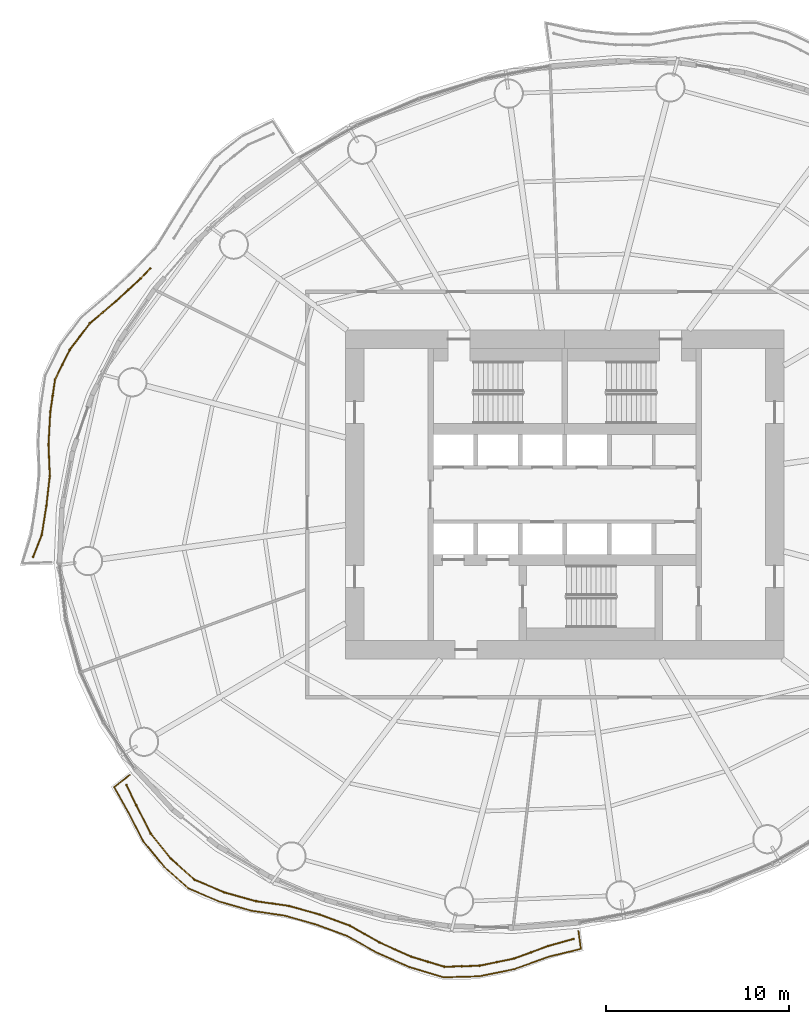
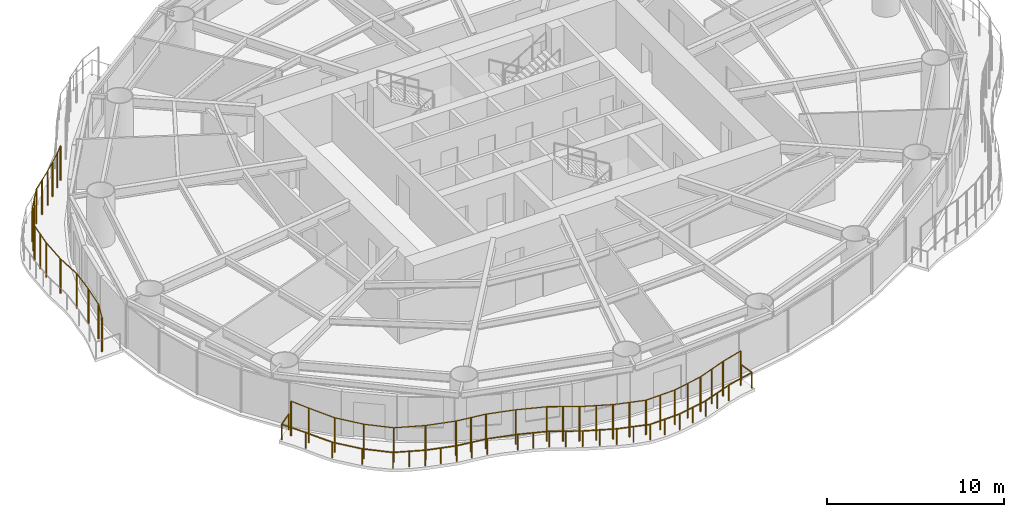
# One storey, part 12 of 16: 3 railings.
"""IFC4 building model written with IfcOpenShell, lengths in metres."""

import ifcopenshell
import ifcopenshell.guid

model = None  # the IFC model being written
_history = None  # IfcOwnerHistory: only IFC2X3 demands one
_inside = {}  # id of a spatial element -> (the spatial element, [elements in it])
_under = {}  # id of a project, library or spatial element -> (it, [spatial elements below it])
_declared = {}  # id of a project -> (the project, [libraries it declares])
_typed = {}  # id of a type object -> (the type object, [elements of that type])
_made_of = {}  # id of a material, layer set ... -> (it, [elements and type objects made of it])


def new_model(schema):
    """Start an empty IFC model of exactly this schema.

    Asked for "IFC4X3", IfcOpenShell would pick the latest addendum, in which some entities
    have other attributes; the version numbers below select the first issue.
    IFC2X3 requires an IfcOwnerHistory on every rooted entity: one is made here for all.
    """
    global model, _history
    if schema == "IFC4X3":
        model = ifcopenshell.file(schema_version=(4, 3, 0, 0))
    else:
        model = ifcopenshell.file(schema=schema)
    _inside.clear()
    _under.clear()
    _declared.clear()
    _typed.clear()
    _made_of.clear()
    _history = None
    if model.schema == "IFC2X3":
        org = make("IfcOrganization", Name="unknown")
        user = make(
            "IfcPersonAndOrganization",
            ThePerson=make("IfcPerson", FamilyName="unknown"),
            TheOrganization=org,
        )
        app = make(
            "IfcApplication",
            ApplicationDeveloper=org,
            Version="unknown",
            ApplicationFullName="unknown",
            ApplicationIdentifier="unknown",
        )
        _history = make(
            "IfcOwnerHistory",
            OwningUser=user,
            OwningApplication=app,
            ChangeAction="ADDED",
            CreationDate=0,
        )
    return model


def make(cls, **values):
    """One entity of the class cls with the attributes given. An attribute that is None is left unset."""
    return model.create_entity(
        cls, **{name: value for name, value in values.items() if value is not None}
    )


def rooted(cls, **values):
    """An entity with a GlobalId (a new one), such as an element, a storey or a relation."""
    return make(cls, GlobalId=ifcopenshell.guid.new(), OwnerHistory=_history, **values)


def si_unit(unit_type, name, prefix=None):
    """IfcSIUnit, for example si_unit("LENGTHUNIT", "METRE", prefix="MILLI")."""
    return make("IfcSIUnit", UnitType=unit_type, Prefix=prefix, Name=name)


def assignment(units):
    """IfcUnitAssignment: the units of a project."""
    return None if units is None else make("IfcUnitAssignment", Units=units)


def point(xyz):
    """IfcCartesianPoint."""
    return None if xyz is None else make("IfcCartesianPoint", Coordinates=xyz)


def direction(xyz):
    """IfcDirection."""
    return None if xyz is None else make("IfcDirection", DirectionRatios=xyz)


def frame(location, z_axis=None, x_axis=None):
    """IfcAxis2Placement3D, a coordinate frame: its origin and axes. An axis left out is left unset."""
    return make(
        "IfcAxis2Placement3D",
        Location=point(location),
        Axis=direction(z_axis),
        RefDirection=direction(x_axis),
    )


def frame_2d(location, x_axis=None):
    """IfcAxis2Placement2D, a coordinate frame in the plane: its origin and x axis."""
    return make(
        "IfcAxis2Placement2D", Location=point(location), RefDirection=direction(x_axis)
    )


def origin():
    """The frame at (0, 0, 0) with its axes left unset."""
    return frame((0.0, 0.0, 0.0))


def origin_2d():
    """The frame at (0, 0) in the plane with its x axis left unset."""
    return frame_2d((0.0, 0.0))


def place(relative_to, where):
    """IfcLocalPlacement: puts the frame where relative to a parent placement (None: the world)."""
    return make(
        "IfcLocalPlacement", PlacementRelTo=relative_to, RelativePlacement=where
    )


def context(
    kind, dimensions, precision=None, world=None, true_north=None, identifier=None
):
    """IfcGeometricRepresentationContext, for example the 3D "Model" context."""
    return make(
        "IfcGeometricRepresentationContext",
        ContextIdentifier=identifier,
        ContextType=kind,
        CoordinateSpaceDimension=dimensions,
        Precision=precision,
        WorldCoordinateSystem=world,
        TrueNorth=true_north,
    )


def subcontext(parent, identifier, kind, view, scale=None):
    """IfcGeometricRepresentationSubContext, for example "Body" below "Model"."""
    return make(
        "IfcGeometricRepresentationSubContext",
        ContextIdentifier=identifier,
        ContextType=kind,
        ParentContext=parent,
        TargetScale=scale,
        TargetView=view,
    )


def project(units=None, contexts=None):
    """IfcProject with its units and contexts."""
    return rooted(
        "IfcProject",
        Name="project",
        RepresentationContexts=contexts,
        UnitsInContext=assignment(units),
    )


def spatial(cls, under=None, at=None, **own):
    """A site, building, storey or space (cls), placed at a placement, below another one or the project."""
    s = rooted(cls, ObjectPlacement=at, **own)
    if under is not None:
        _under.setdefault(under.id(), (under, []))[1].append(s)
    return s


def profile(cls, at=None, kind="AREA", **sizes):
    """A parametric profile (cls). Its sizes go by their IFC names, for example OverallWidth=200.0."""
    return make(cls, ProfileType=kind, Position=at, **sizes)


def circle(**sizes):
    """IfcCircleProfileDef."""
    return profile("IfcCircleProfileDef", **sizes)


def extrude(swept, where, along, depth):
    """IfcExtrudedAreaSolid: the profile swept, set in the frame where, extruded along a direction by depth."""
    return make(
        "IfcExtrudedAreaSolid",
        SweptArea=swept,
        Position=where,
        ExtrudedDirection=direction(along),
        Depth=depth,
    )


def shape(context_of_items, identifier, shape_type, items):
    """IfcShapeRepresentation: the items that make up one representation, for example the "Body"."""
    return make(
        "IfcShapeRepresentation",
        ContextOfItems=context_of_items,
        RepresentationIdentifier=identifier,
        RepresentationType=shape_type,
        Items=items,
    )


def material(Name=None, Category=None):
    """IfcMaterial."""
    return make("IfcMaterial", Name=Name, Category=Category)


def made_of(thing, what):
    """Note that an element or type object is made of a material, layer set ...; save() writes the relation."""
    if what is not None:
        _made_of.setdefault(what.id(), (what, []))[1].append(thing)
    return thing


def type_object(cls, material=None, **own):
    """A type object (cls), such as IfcWallType, which elements share."""
    return made_of(rooted(cls, **own), material)


def element(
    cls,
    number,
    at=None,
    inside=None,
    cuts=None,
    type_object=None,
    material=None,
    context=None,
    identifier="Body",
    shape_type=None,
    held_by="IfcProductDefinitionShape",
    body=None,
    shapes=None,
    **own,
):
    """One element of the class cls, such as IfcWall. Its Tag is "e" and its number.

    at: its placement. inside: the storey or other place that contains it. cuts: it is an
    opening in that element (IfcRelVoidsElement). A single representation is given by context,
    identifier, shape_type and body (its items); several are given by shapes. held_by: the class
    of the entity that holds the representations. save() writes the other relations.
    """
    e = rooted(cls, Tag="e%d" % number, ObjectPlacement=at, **own)
    if body is not None:
        shapes = [shape(context, identifier, shape_type, body)]
    if shapes is not None:
        e.Representation = make(held_by, Representations=shapes)
    if inside is not None:
        _inside.setdefault(inside.id(), (inside, []))[1].append(e)
    if cuts is not None:
        rooted(
            "IfcRelVoidsElement", RelatingBuildingElement=cuts, RelatedOpeningElement=e
        )
    if type_object is not None:
        _typed.setdefault(type_object.id(), (type_object, []))[1].append(e)
    return made_of(e, material)


def aggregate(whole, parts):
    """IfcRelAggregates: a whole, such as a stair, and the parts it consists of."""
    return rooted("IfcRelAggregates", RelatingObject=whole, RelatedObjects=parts)


def save(model, path):
    """Write the relations noted so far, then the file.

    IfcRelAggregates (storeys below a building ...), IfcRelContainedInSpatialStructure (elements
    in a storey), IfcRelDefinesByType, IfcRelAssociatesMaterial and IfcRelDeclares: one each for
    every whole, place, type object, material and project.
    """
    for whole, parts in _under.values():
        aggregate(whole, parts)
    for where, things in _inside.values():
        rooted(
            "IfcRelContainedInSpatialStructure",
            RelatedElements=things,
            RelatingStructure=where,
        )
    for kind, things in _typed.values():
        rooted("IfcRelDefinesByType", RelatedObjects=things, RelatingType=kind)
    for what, things in _made_of.values():
        rooted("IfcRelAssociatesMaterial", RelatedObjects=things, RelatingMaterial=what)
    for by, libraries in _declared.values():
        rooted("IfcRelDeclares", RelatingContext=by, RelatedDefinitions=libraries)
    model.write(path)


model = new_model("IFC4")

# Units and contexts
model_context = context("Model", 3, precision=1e-05, world=origin(), true_north=direction((0.0, 1.0)))
body_context = subcontext(model_context, "Body", "Model", "MODEL_VIEW")
ifc_project = project(units=[si_unit("LENGTHUNIT", "METRE"), si_unit("AREAUNIT", "SQUARE_METRE"), si_unit("VOLUMEUNIT", "CUBIC_METRE"), si_unit("PLANEANGLEUNIT", "RADIAN"), si_unit("MASSUNIT", "GRAM", prefix="KILO")], contexts=[model_context])

# Site, building, storey
site_placement = place(None, origin())
site = spatial("IfcSite", under=ifc_project, at=site_placement, CompositionType="ELEMENT")
building_placement = place(site_placement, origin())
building = spatial("IfcBuilding", under=site, at=building_placement, Name="Vermilion Reach Broadcast Tower", CompositionType="ELEMENT")
storey_placement = place(building_placement, frame((0.0, 0.0, 113.800048828125)))
storey = spatial("IfcBuildingStorey", under=building, at=storey_placement, Name="L26", CompositionType="ELEMENT", Elevation=113.800048828125)

# Railings
ifc_material_1 = material(Name="Terracotta baguette", Category="masonry")
railing_type_1 = type_object("IfcRailingType", Name="BAGUETTE SCREEN", PredefinedType="USERDEFINED", material=ifc_material_1)
railing_1_placement = place(storey_placement, frame((-28.69677734375, 12.37890625, 0.0)))
element("IfcRailing", 1, at=railing_1_placement, inside=storey, type_object=railing_type_1, Name="Baguette screen L26 group 2 part 2", ObjectType="BAGUETTE SCREEN", PredefinedType="USERDEFINED", context=body_context, shape_type="SweptSolid", body=[
    extrude(circle(Radius=0.030029296875, at=origin_2d()), frame((0.0, 0.0, 2.369873046875), z_axis=(-0.694812020929, -0.719191390085, 0.0), x_axis=(0.719191390085, -0.694812020929, 0.0)), (0.0, 0.0, 1.0), 0.760986328125),
    extrude(circle(Radius=0.030029296875, at=origin_2d()), frame((-0.52880859375, -0.54736328125, 2.369873046875), z_axis=(-0.734648783609, -0.678447613852, 0.0), x_axis=(0.678447613852, -0.734648783609, 0.0)), (0.0, 0.0, 1.0), 1.81591796875),
    extrude(circle(Radius=0.030029296875, at=origin_2d()), frame((-1.86279296875, -1.779296875, 2.369873046875), z_axis=(-0.763897634962, -0.645337433673, 0.0), x_axis=(0.645337433673, -0.763897634962, 0.0)), (0.0, 0.0, 1.0), 1.900634765625),
    extrude(circle(Radius=0.030029296875, at=origin_2d()), frame((-3.314697265625, -3.005859375, 2.369873046875), z_axis=(-0.603715297489, -0.797199999735, 0.0), x_axis=(0.797199999735, -0.603715297489, 0.0)), (0.0, 0.0, 1.0), 1.815673828125),
    extrude(circle(Radius=0.030029296875, at=origin_2d()), frame((-4.410888671875, -4.453369140625, 2.369873046875), z_axis=(-0.445057706929, -0.895501891401, 0.0), x_axis=(0.895501891401, -0.445057706929, 0.0)), (0.0, 0.0, 1.0), 1.81298828125),
    extrude(circle(Radius=0.030029296875, at=origin_2d()), frame((-5.2177734375, -6.076904296875, 2.369873046875), z_axis=(-0.143944672363, -0.989585737214, 0.0), x_axis=(0.989585737214, -0.143944672363, 0.0)), (0.0, 0.0, 1.0), 1.80126953125),
    extrude(circle(Radius=0.030029296875, at=origin_2d()), frame((-5.47705078125, -7.859375, 2.369873046875), z_axis=(-0.056340990681, -0.998411584853, 0.0), x_axis=(0.998411584853, -0.056340990681, 0.0)), (0.0, 0.0, 1.0), 1.785400390625),
    extrude(circle(Radius=0.030029296875, at=origin_2d()), frame((-5.57763671875, -9.641845703125, 2.369873046875), z_axis=(0.042060549096, -0.999115063549, 0.0), x_axis=(0.999115063549, 0.042060549096, 0.0)), (0.0, 0.0, 1.0), 1.723876953125),
    extrude(circle(Radius=0.030029296875, at=origin_2d()), frame((-5.505126953125, -11.3642578125, 2.369873046875), z_axis=(-0.113538230515, -0.993533628123, 0.0), x_axis=(0.993533628123, -0.113538230515, 0.0)), (0.0, 0.0, 1.0), 1.647216796875),
    extrude(circle(Radius=0.030029296875, at=origin_2d()), frame((-5.692138671875, -13.000732421875, 2.369873046875), z_axis=(-0.158043385005, -0.987432169041, 0.0), x_axis=(0.987432169041, -0.158043385005, 0.0)), (0.0, 0.0, 1.0), 1.620361328125),
    extrude(circle(Radius=0.030029296875, at=origin_2d()), frame((-5.9482421875, -14.600830078125, 2.369873046875), z_axis=(-0.368000345754, -0.929825653295, 0.0), x_axis=(0.929825653295, -0.368000345754, 0.0)), (0.0, 0.0, 1.0), 1.27978515625),
    extrude(circle(Radius=0.050048828125, at=origin_2d()), origin(), (0.0, 0.0, 1.0), 2.33984375),
    extrude(circle(Radius=0.050048828125, at=origin_2d()), frame((-0.52880859375, -0.54736328125, 0.0)), (0.0, 0.0, 1.0), 2.33984375),
    extrude(circle(Radius=0.050048828125, at=origin_2d()), frame((-1.19580078125, -1.163330078125, 0.0)), (0.0, 0.0, 1.0), 2.33984375),
    extrude(circle(Radius=0.050048828125, at=origin_2d()), frame((-1.86279296875, -1.779296875, 0.0)), (0.0, 0.0, 1.0), 2.33984375),
    extrude(circle(Radius=0.050048828125, at=origin_2d()), frame((-2.5888671875, -2.392578125, 0.0)), (0.0, 0.0, 1.0), 2.33984375),
    extrude(circle(Radius=0.050048828125, at=origin_2d()), frame((-3.314697265625, -3.005859375, 0.0)), (0.0, 0.0, 1.0), 2.33984375),
    extrude(circle(Radius=0.050048828125, at=origin_2d()), frame((-3.86279296875, -3.7294921875, 0.0)), (0.0, 0.0, 1.0), 2.33984375),
    extrude(circle(Radius=0.050048828125, at=origin_2d()), frame((-4.410888671875, -4.453369140625, 0.0)), (0.0, 0.0, 1.0), 2.33984375),
    extrude(circle(Radius=0.050048828125, at=origin_2d()), frame((-4.814453125, -5.26513671875, 0.0)), (0.0, 0.0, 1.0), 2.33984375),
    extrude(circle(Radius=0.050048828125, at=origin_2d()), frame((-5.2177734375, -6.076904296875, 0.0)), (0.0, 0.0, 1.0), 2.33984375),
    extrude(circle(Radius=0.050048828125, at=origin_2d()), frame((-5.347412109375, -6.96826171875, 0.0)), (0.0, 0.0, 1.0), 2.33984375),
    extrude(circle(Radius=0.050048828125, at=origin_2d()), frame((-5.47705078125, -7.859375, 0.0)), (0.0, 0.0, 1.0), 2.33984375),
    extrude(circle(Radius=0.050048828125, at=origin_2d()), frame((-5.57763671875, -9.641845703125, 0.0)), (0.0, 0.0, 1.0), 2.33984375),
    extrude(circle(Radius=0.050048828125, at=origin_2d()), frame((-5.505126953125, -11.3642578125, 0.0)), (0.0, 0.0, 1.0), 2.33984375),
    extrude(circle(Radius=0.050048828125, at=origin_2d()), frame((-5.692138671875, -13.000732421875, 0.0)), (0.0, 0.0, 1.0), 2.33984375),
    extrude(circle(Radius=0.050048828125, at=origin_2d()), frame((-5.9482421875, -14.600830078125, 0.0)), (0.0, 0.0, 1.0), 2.33984375),
    extrude(circle(Radius=0.050048828125, at=origin_2d()), frame((-6.419189453125, -15.790771484375, 0.0)), (0.0, 0.0, 1.0), 2.33984375),
])
railing_2_placement = place(storey_placement, frame((-29.9990234375, -15.9169921875, 0.0)))
element("IfcRailing", 2, at=railing_2_placement, inside=storey, type_object=railing_type_1, Name="Baguette screen L26 group 3", ObjectType="BAGUETTE SCREEN", PredefinedType="USERDEFINED", context=body_context, shape_type="SweptSolid", body=[
    extrude(circle(Radius=0.030029296875, at=origin_2d()), frame((0.0, 0.0, 2.369873046875), z_axis=(0.432445194537, -0.901660220772, 0.0), x_axis=(0.901660220772, 0.432445194537, 0.0)), (0.0, 0.0, 1.0), 1.2216796875),
    extrude(circle(Radius=0.030029296875, at=origin_2d()), frame((0.5283203125, -1.1015625, 2.369873046875), z_axis=(0.453533370792, -0.891239295351, 0.0), x_axis=(0.891239295351, 0.453533370792, 0.0)), (0.0, 0.0, 1.0), 1.742919921875),
    extrude(circle(Radius=0.030029296875, at=origin_2d()), frame((1.31884765625, -2.655029296875, 2.369873046875), z_axis=(0.628885361178, -0.777498040188, 0.0), x_axis=(0.777498040188, 0.628885361178, 0.0)), (0.0, 0.0, 1.0), 1.751220703125),
    extrude(circle(Radius=0.030029296875, at=origin_2d()), frame((2.420166015625, -4.0166015625, 2.369873046875), z_axis=(0.744394085271, -0.66774055277, 0.0), x_axis=(0.66774055277, 0.744394085271, 0.0)), (0.0, 0.0, 1.0), 1.7421875),
    extrude(circle(Radius=0.030029296875, at=origin_2d()), frame((3.717041015625, -5.179931640625, 2.369873046875), z_axis=(0.921407509052, -0.388597738365, 0.0), x_axis=(0.388597738365, 0.921407509052, 0.0)), (0.0, 0.0, 1.0), 1.796142578125),
    extrude(circle(Radius=0.030029296875, at=origin_2d()), frame((5.3720703125, -5.8779296875, 2.369873046875), z_axis=(0.962757794161, -0.270365363502, 0.0), x_axis=(0.270365363502, 0.962757794161, 0.0)), (0.0, 0.0, 1.0), 1.78515625),
    extrude(circle(Radius=0.030029296875, at=origin_2d()), frame((7.0908203125, -6.360595703125, 2.369873046875), z_axis=(0.990074565157, -0.140543073215, 0.0), x_axis=(0.140543073215, 0.990074565157, 0.0)), (0.0, 0.0, 1.0), 1.8291015625),
    extrude(circle(Radius=0.030029296875, at=origin_2d()), frame((8.90185546875, -6.61767578125, 2.369873046875), z_axis=(0.962757528629, -0.270366309049, 0.0), x_axis=(0.270366309049, 0.962757528629, 0.0)), (0.0, 0.0, 1.0), 1.733642578125),
    extrude(circle(Radius=0.030029296875, at=origin_2d()), frame((10.571044921875, -7.08642578125, 2.369873046875), z_axis=(0.937755415581, -0.34729638718, 0.0), x_axis=(0.34729638718, 0.937755415581, 0.0)), (0.0, 0.0, 1.0), 1.77001953125),
    extrude(circle(Radius=0.030029296875, at=origin_2d()), frame((12.23095703125, -7.701171875, 2.369873046875), z_axis=(0.870125761681, -0.492829746321, 0.0), x_axis=(0.492829746321, 0.870125761681, 0.0)), (0.0, 0.0, 1.0), 1.853271484375),
    extrude(circle(Radius=0.030029296875, at=origin_2d()), frame((13.843505859375, -8.614501953125, 2.369873046875), z_axis=(0.91315657903, -0.407608957427, 0.0), x_axis=(0.407608957427, 0.91315657903, 0.0)), (0.0, 0.0, 1.0), 1.909423828125),
    extrude(circle(Radius=0.030029296875, at=origin_2d()), frame((15.587158203125, -9.392822265625, 2.369873046875), z_axis=(0.956180174789, -0.292778881309, 0.0), x_axis=(0.292778881309, 0.956180174789, 0.0)), (0.0, 0.0, 1.0), 1.90380859375),
    extrude(circle(Radius=0.030029296875, at=origin_2d()), frame((17.407470703125, -9.9501953125, 2.369873046875), z_axis=(0.999558598713, 0.029708714861, 0.0), x_axis=(-0.029708714861, 0.999558598713, 0.0)), (0.0, 0.0, 1.0), 1.9228515625),
    extrude(circle(Radius=0.030029296875, at=origin_2d()), frame((19.32958984375, -9.89306640625, 2.369873046875), z_axis=(0.979214686165, 0.20282652292, 0.0), x_axis=(-0.20282652292, 0.979214686165, 0.0)), (0.0, 0.0, 1.0), 1.936767578125),
    extrude(circle(Radius=0.030029296875, at=origin_2d()), frame((21.22607421875, -9.500244140625, 2.369873046875), z_axis=(0.938703886732, 0.344724546608, 0.0), x_axis=(-0.344724546608, 0.938703886732, 0.0)), (0.0, 0.0, 1.0), 1.984375),
    extrude(circle(Radius=0.030029296875, at=origin_2d()), frame((23.0888671875, -8.816162109375, 2.369873046875), z_axis=(0.962450809722, 0.271456145383, 0.0), x_axis=(-0.271456145383, 0.962450809722, 0.0)), (0.0, 0.0, 1.0), 1.442626953125),
    extrude(circle(Radius=0.050048828125, at=origin_2d()), origin(), (0.0, 0.0, 1.0), 2.33984375),
    extrude(circle(Radius=0.050048828125, at=origin_2d()), frame((0.5283203125, -1.1015625, 0.0)), (0.0, 0.0, 1.0), 2.33984375),
    extrude(circle(Radius=0.050048828125, at=origin_2d()), frame((1.31884765625, -2.655029296875, 0.0)), (0.0, 0.0, 1.0), 2.33984375),
    extrude(circle(Radius=0.050048828125, at=origin_2d()), frame((2.420166015625, -4.0166015625, 0.0)), (0.0, 0.0, 1.0), 2.33984375),
    extrude(circle(Radius=0.050048828125, at=origin_2d()), frame((3.717041015625, -5.179931640625, 0.0)), (0.0, 0.0, 1.0), 2.33984375),
    extrude(circle(Radius=0.050048828125, at=origin_2d()), frame((5.3720703125, -5.8779296875, 0.0)), (0.0, 0.0, 1.0), 2.33984375),
    extrude(circle(Radius=0.050048828125, at=origin_2d()), frame((7.0908203125, -6.360595703125, 0.0)), (0.0, 0.0, 1.0), 2.33984375),
    extrude(circle(Radius=0.050048828125, at=origin_2d()), frame((7.996337890625, -6.4892578125, 0.0)), (0.0, 0.0, 1.0), 2.33984375),
    extrude(circle(Radius=0.050048828125, at=origin_2d()), frame((8.90185546875, -6.61767578125, 0.0)), (0.0, 0.0, 1.0), 2.33984375),
    extrude(circle(Radius=0.050048828125, at=origin_2d()), frame((10.571044921875, -7.08642578125, 0.0)), (0.0, 0.0, 1.0), 2.33984375),
    extrude(circle(Radius=0.050048828125, at=origin_2d()), frame((12.23095703125, -7.701171875, 0.0)), (0.0, 0.0, 1.0), 2.33984375),
    extrude(circle(Radius=0.050048828125, at=origin_2d()), frame((13.037109375, -8.15771484375, 0.0)), (0.0, 0.0, 1.0), 2.33984375),
    extrude(circle(Radius=0.050048828125, at=origin_2d()), frame((13.843505859375, -8.614501953125, 0.0)), (0.0, 0.0, 1.0), 2.33984375),
    extrude(circle(Radius=0.050048828125, at=origin_2d()), frame((14.71533203125, -9.003662109375, 0.0)), (0.0, 0.0, 1.0), 2.33984375),
    extrude(circle(Radius=0.050048828125, at=origin_2d()), frame((15.587158203125, -9.392822265625, 0.0)), (0.0, 0.0, 1.0), 2.33984375),
    extrude(circle(Radius=0.050048828125, at=origin_2d()), frame((16.497314453125, -9.67138671875, 0.0)), (0.0, 0.0, 1.0), 2.33984375),
    extrude(circle(Radius=0.050048828125, at=origin_2d()), frame((17.407470703125, -9.9501953125, 0.0)), (0.0, 0.0, 1.0), 2.33984375),
    extrude(circle(Radius=0.050048828125, at=origin_2d()), frame((18.36865234375, -9.921630859375, 0.0)), (0.0, 0.0, 1.0), 2.33984375),
    extrude(circle(Radius=0.050048828125, at=origin_2d()), frame((19.32958984375, -9.89306640625, 0.0)), (0.0, 0.0, 1.0), 2.33984375),
    extrude(circle(Radius=0.050048828125, at=origin_2d()), frame((20.27783203125, -9.69677734375, 0.0)), (0.0, 0.0, 1.0), 2.33984375),
    extrude(circle(Radius=0.050048828125, at=origin_2d()), frame((21.22607421875, -9.500244140625, 0.0)), (0.0, 0.0, 1.0), 2.33984375),
    extrude(circle(Radius=0.050048828125, at=origin_2d()), frame((22.157470703125, -9.158203125, 0.0)), (0.0, 0.0, 1.0), 2.33984375),
    extrude(circle(Radius=0.050048828125, at=origin_2d()), frame((23.0888671875, -8.816162109375, 0.0)), (0.0, 0.0, 1.0), 2.33984375),
    extrude(circle(Radius=0.050048828125, at=origin_2d()), frame((24.477294921875, -8.424560546875, 0.0)), (0.0, 0.0, 1.0), 2.33984375),
])
ifc_material_2 = material(Name="Stainless steel 316 balustrade", Category="steel")
railing_type_2 = type_object("IfcRailingType", Name="Balcony guard 1100", PredefinedType="BALUSTRADE", material=ifc_material_2)
railing_3_placement = place(storey_placement, frame((-29.8291015625, -15.3642578125, 0.0)))
element("IfcRailing", 3, at=railing_3_placement, inside=storey, type_object=railing_type_2, Name="Balcony guard L26 group 3", PredefinedType="BALUSTRADE", context=body_context, shape_type="SweptSolid", body=[
    extrude(circle(Radius=0.02490234375, at=origin_2d()), frame((0.0, 0.0, 1.0751953125), z_axis=(-0.785518287658, -0.618838443986, 0.0), x_axis=(0.618838443986, -0.785518287658, 0.0)), (0.0, 0.0, 1.0), 1.0810546875),
    extrude(circle(Radius=0.02490234375, at=origin_2d()), frame((-0.84912109375, -0.6689453125, 1.0751953125), z_axis=(0.492965913575, -0.870048623959, 0.0), x_axis=(0.870048623959, 0.492965913575, 0.0)), (0.0, 0.0, 1.0), 1.584228515625),
    extrude(circle(Radius=0.02490234375, at=origin_2d()), frame((-0.068115234375, -2.04736328125, 1.0751953125), z_axis=(0.460029570973, -0.887903594897, 0.0), x_axis=(0.887903594897, 0.460029570973, 0.0)), (0.0, 0.0, 1.0), 1.7841796875),
    extrude(circle(Radius=0.02490234375, at=origin_2d()), frame((0.752685546875, -3.631591796875, 1.0751953125), z_axis=(0.632184787512, -0.77481765238, 0.0), x_axis=(0.77481765238, 0.632184787512, 0.0)), (0.0, 0.0, 1.0), 1.7939453125),
    extrude(circle(Radius=0.02490234375, at=origin_2d()), frame((1.88671875, -5.021484375, 1.0751953125), z_axis=(0.745889075318, -0.666070181979, 0.0), x_axis=(0.666070181979, 0.745889075318, 0.0)), (0.0, 0.0, 1.0), 1.783203125),
    extrude(circle(Radius=0.02490234375, at=origin_2d()), frame((3.216796875, -6.209228515625, 1.0751953125), z_axis=(0.919920120788, -0.392105816547, 0.0), x_axis=(0.392105816547, 0.919920120788, 0.0)), (0.0, 0.0, 1.0), 1.836669921875),
    extrude(circle(Radius=0.02490234375, at=origin_2d()), frame((4.906494140625, -6.929443359375, 1.0751953125), z_axis=(0.961407662035, -0.275127801905, 0.0), x_axis=(0.275127801905, 0.961407662035, 0.0)), (0.0, 0.0, 1.0), 1.823486328125),
    extrude(circle(Radius=0.02490234375, at=origin_2d()), frame((6.65966796875, -7.43115234375, 1.0751953125), z_axis=(0.989195737249, -0.146600796068, 0.0), x_axis=(0.146600796068, 0.989195737249, 0.0)), (0.0, 0.0, 1.0), 1.866943359375),
    extrude(circle(Radius=0.02490234375, at=origin_2d()), frame((8.50634765625, -7.704833984375, 1.0751953125), z_axis=(0.962248978651, -0.272170724152, 0.0), x_axis=(0.272170724152, 0.962248978651, 0.0)), (0.0, 0.0, 1.0), 1.770751953125),
    extrude(circle(Radius=0.02490234375, at=origin_2d()), frame((10.210205078125, -8.186767578125, 1.0751953125), z_axis=(0.938093772791, -0.346381398824, 0.0), x_axis=(0.346381398824, 0.938093772791, 0.0)), (0.0, 0.0, 1.0), 1.80712890625),
    extrude(circle(Radius=0.02490234375, at=origin_2d()), frame((11.905517578125, -8.812744140625, 1.0751953125), z_axis=(0.872633904809, -0.488374925828, 0.0), x_axis=(0.488374925828, 0.872633904809, 0.0)), (0.0, 0.0, 1.0), 1.8876953125),
    extrude(circle(Radius=0.02490234375, at=origin_2d()), frame((13.552734375, -9.734619140625, 1.0751953125), z_axis=(0.914895971964, -0.403689683401, 0.0), x_axis=(0.403689683401, 0.914895971964, 0.0)), (0.0, 0.0, 1.0), 1.94384765625),
    extrude(circle(Radius=0.02490234375, at=origin_2d()), frame((15.3310546875, -10.519287109375, 1.0751953125), z_axis=(0.957101750331, -0.289752031078, 0.0), x_axis=(0.289752031078, 0.957101750331, 0.0)), (0.0, 0.0, 1.0), 1.93701171875),
    extrude(circle(Radius=0.02490234375, at=origin_2d()), frame((17.18505859375, -11.08056640625, 1.0751953125), z_axis=(0.99960240041, 0.028196473102, 0.0), x_axis=(-0.028196473102, 0.99960240041, 0.0)), (0.0, 0.0, 1.0), 1.956787109375),
    extrude(circle(Radius=0.02490234375, at=origin_2d()), frame((19.14111328125, -11.025390625, 1.0751953125), z_axis=(0.979916952926, 0.199406031423, 0.0), x_axis=(-0.199406031423, 0.979916952926, 0.0)), (0.0, 0.0, 1.0), 1.96875),
    extrude(circle(Radius=0.02490234375, at=origin_2d()), frame((21.0703125, -10.6328125, 1.0751953125), z_axis=(0.940347373597, 0.340215838799, 0.0), x_axis=(-0.340215838799, 0.940347373597, 0.0)), (0.0, 0.0, 1.0), 2.015869140625),
    extrude(circle(Radius=0.02490234375, at=origin_2d()), frame((22.9658203125, -9.947021484375, 1.0751953125), z_axis=(0.972175002718, 0.234255766396, 0.0), x_axis=(-0.234255766396, 0.972175002718, 0.0)), (0.0, 0.0, 1.0), 1.798828125),
    extrude(circle(Radius=0.02490234375, at=origin_2d()), frame((24.714599609375, -9.525634765625, 1.0751953125), z_axis=(-0.135091162985, 0.990833173487, 0.0), x_axis=(-0.990833173487, -0.135091162985, 0.0)), (0.0, 0.0, 1.0), 0.988525390625),
    extrude(circle(Radius=0.02490234375, at=origin_2d()), origin(), (0.0, 0.0, 1.0), 1.050048828125),
    extrude(circle(Radius=0.02490234375, at=origin_2d()), frame((-0.84912109375, -0.6689453125, 0.0)), (0.0, 0.0, 1.0), 1.050048828125),
    extrude(circle(Radius=0.02490234375, at=origin_2d()), frame((-0.068115234375, -2.04736328125, 0.0)), (0.0, 0.0, 1.0), 1.050048828125),
    extrude(circle(Radius=0.02490234375, at=origin_2d()), frame((0.752685546875, -3.631591796875, 0.0)), (0.0, 0.0, 1.0), 1.050048828125),
    extrude(circle(Radius=0.02490234375, at=origin_2d()), frame((1.88671875, -5.021484375, 0.0)), (0.0, 0.0, 1.0), 1.050048828125),
    extrude(circle(Radius=0.02490234375, at=origin_2d()), frame((3.216796875, -6.209228515625, 0.0)), (0.0, 0.0, 1.0), 1.050048828125),
    extrude(circle(Radius=0.02490234375, at=origin_2d()), frame((4.0615234375, -6.5693359375, 0.0)), (0.0, 0.0, 1.0), 1.050048828125),
    extrude(circle(Radius=0.02490234375, at=origin_2d()), frame((4.906494140625, -6.929443359375, 0.0)), (0.0, 0.0, 1.0), 1.050048828125),
    extrude(circle(Radius=0.02490234375, at=origin_2d()), frame((5.783203125, -7.18017578125, 0.0)), (0.0, 0.0, 1.0), 1.050048828125),
    extrude(circle(Radius=0.02490234375, at=origin_2d()), frame((6.65966796875, -7.43115234375, 0.0)), (0.0, 0.0, 1.0), 1.050048828125),
    extrude(circle(Radius=0.02490234375, at=origin_2d()), frame((7.5830078125, -7.56787109375, 0.0)), (0.0, 0.0, 1.0), 1.050048828125),
    extrude(circle(Radius=0.02490234375, at=origin_2d()), frame((8.50634765625, -7.704833984375, 0.0)), (0.0, 0.0, 1.0), 1.050048828125),
    extrude(circle(Radius=0.02490234375, at=origin_2d()), frame((10.210205078125, -8.186767578125, 0.0)), (0.0, 0.0, 1.0), 1.050048828125),
    extrude(circle(Radius=0.02490234375, at=origin_2d()), frame((11.057861328125, -8.499755859375, 0.0)), (0.0, 0.0, 1.0), 1.050048828125),
    extrude(circle(Radius=0.02490234375, at=origin_2d()), frame((11.905517578125, -8.812744140625, 0.0)), (0.0, 0.0, 1.0), 1.050048828125),
    extrude(circle(Radius=0.02490234375, at=origin_2d()), frame((12.72900390625, -9.273681640625, 0.0)), (0.0, 0.0, 1.0), 1.050048828125),
    extrude(circle(Radius=0.02490234375, at=origin_2d()), frame((13.552734375, -9.734619140625, 0.0)), (0.0, 0.0, 1.0), 1.050048828125),
    extrude(circle(Radius=0.02490234375, at=origin_2d()), frame((14.44189453125, -10.126953125, 0.0)), (0.0, 0.0, 1.0), 1.050048828125),
    extrude(circle(Radius=0.02490234375, at=origin_2d()), frame((15.3310546875, -10.519287109375, 0.0)), (0.0, 0.0, 1.0), 1.050048828125),
    extrude(circle(Radius=0.02490234375, at=origin_2d()), frame((16.258056640625, -10.7998046875, 0.0)), (0.0, 0.0, 1.0), 1.050048828125),
    extrude(circle(Radius=0.02490234375, at=origin_2d()), frame((17.18505859375, -11.08056640625, 0.0)), (0.0, 0.0, 1.0), 1.050048828125),
    extrude(circle(Radius=0.02490234375, at=origin_2d()), frame((18.1630859375, -11.052978515625, 0.0)), (0.0, 0.0, 1.0), 1.050048828125),
    extrude(circle(Radius=0.02490234375, at=origin_2d()), frame((19.14111328125, -11.025390625, 0.0)), (0.0, 0.0, 1.0), 1.050048828125),
    extrude(circle(Radius=0.02490234375, at=origin_2d()), frame((20.105712890625, -10.8291015625, 0.0)), (0.0, 0.0, 1.0), 1.050048828125),
    extrude(circle(Radius=0.02490234375, at=origin_2d()), frame((21.0703125, -10.6328125, 0.0)), (0.0, 0.0, 1.0), 1.050048828125),
    extrude(circle(Radius=0.02490234375, at=origin_2d()), frame((22.01806640625, -10.2900390625, 0.0)), (0.0, 0.0, 1.0), 1.050048828125),
    extrude(circle(Radius=0.02490234375, at=origin_2d()), frame((22.9658203125, -9.947021484375, 0.0)), (0.0, 0.0, 1.0), 1.050048828125),
    extrude(circle(Radius=0.02490234375, at=origin_2d()), frame((24.714599609375, -9.525634765625, 0.0)), (0.0, 0.0, 1.0), 1.050048828125),
    extrude(circle(Radius=0.02490234375, at=origin_2d()), frame((24.5810546875, -8.546142578125, 0.0)), (0.0, 0.0, 1.0), 1.050048828125),
])

save(model, "model.ifc")
